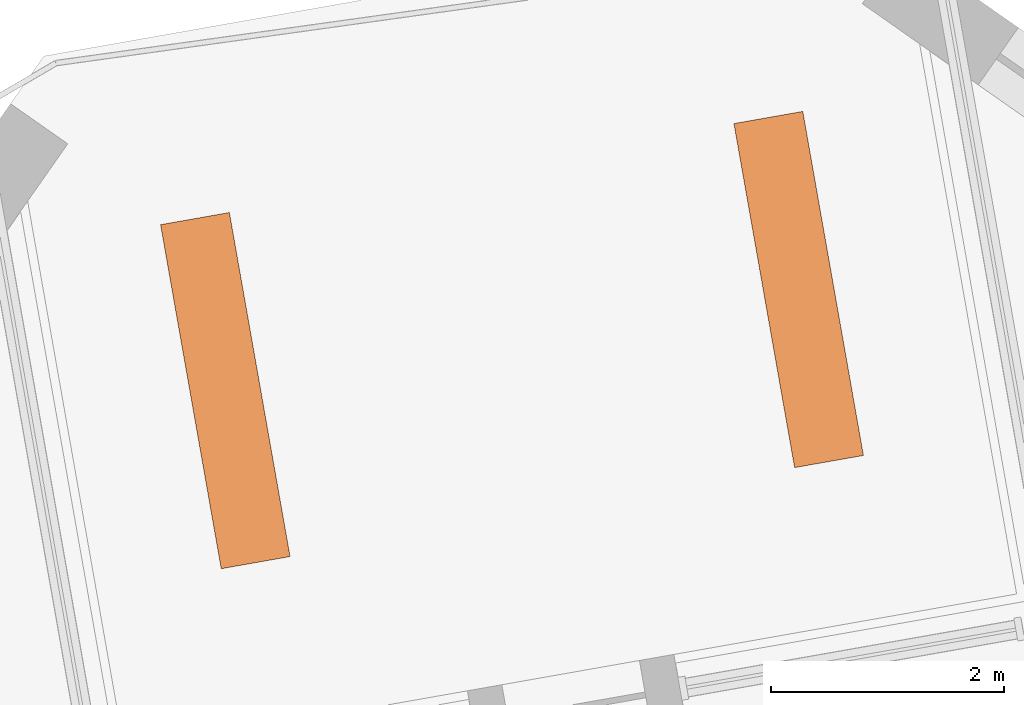
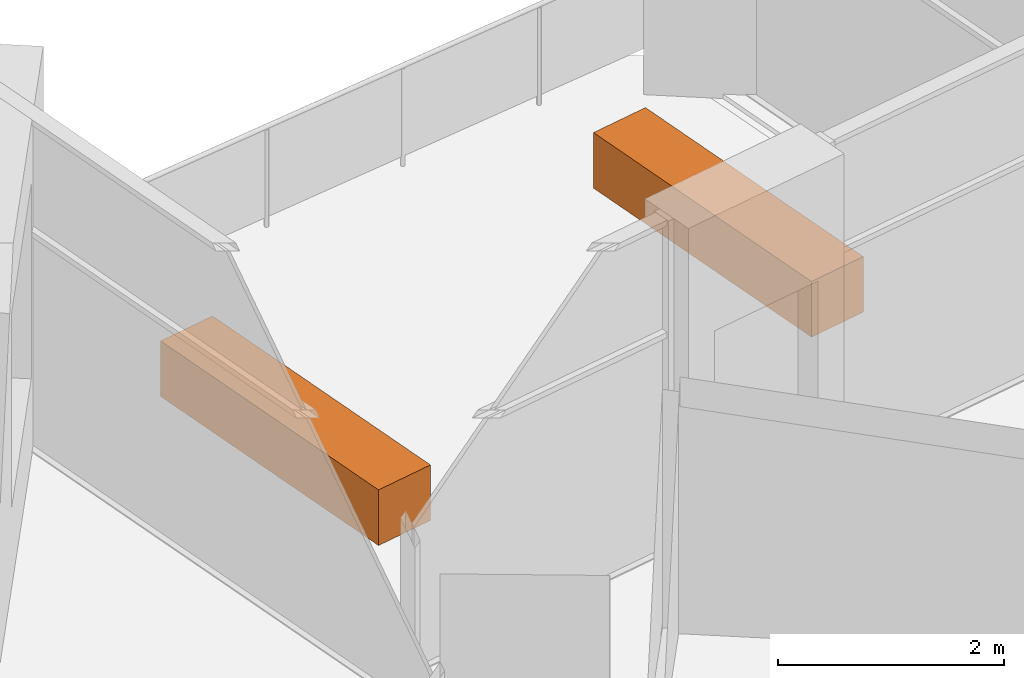
# One storey, part 13 of 13: 2 proxies.
"""IFC4 building model written with IfcOpenShell, lengths in metres."""

from ifc_helpers import new_model, si_unit, direction, frame, origin, origin_2d, place, context, subcontext, project, spatial, rectangle, extrude, element, save


model = new_model("IFC4")

# Units and contexts
model_context = context("Model", 3, precision=1e-05, world=origin(), true_north=direction((0.0, 1.0)))
body_context = subcontext(model_context, "Body", "Model", "MODEL_VIEW")
ifc_project = project(units=[si_unit("LENGTHUNIT", "METRE"), si_unit("AREAUNIT", "SQUARE_METRE"), si_unit("VOLUMEUNIT", "CUBIC_METRE"), si_unit("PLANEANGLEUNIT", "RADIAN"), si_unit("MASSUNIT", "GRAM", prefix="KILO")], contexts=[model_context])

# Site, building, storey
site_placement = place(None, origin())
site = spatial("IfcSite", under=ifc_project, at=site_placement, CompositionType="ELEMENT")
building_placement = place(site_placement, origin())
building = spatial("IfcBuilding", under=site, at=building_placement, Name="Dilmun Exchange Tower", CompositionType="ELEMENT")
storey_placement = place(building_placement, frame((0.0, 0.0, 246.89990234375)))
storey = spatial("IfcBuildingStorey", under=building, at=storey_placement, Name="L58", CompositionType="ELEMENT", Elevation=246.89990234375)

# Proxies
for number, where, z_axis, x_axis, name in (
    (1, (1.40771484375, 32.067626953125, 0.0), (0.0, 0.0, 1.0), (-0.173648177667, 0.984807753012, 0.0), "PLANTER Date palm L58.1"),
    (2, (-3.516357421875, 31.199462890625, 0.0), (0.0, 0.0, 1.0), (-0.173648177667, 0.984807753012, 0.0), "PLANTER Date palm L58.2"),
):
    element("IfcBuildingElementProxy", number, at=place(storey_placement, frame(where, z_axis=z_axis, x_axis=x_axis)), inside=storey, Name=name, ObjectType="PLANTER", PredefinedType="USERDEFINED", context=body_context, shape_type="SweptSolid", body=[
        extrude(rectangle(XDim=3.0, YDim=0.60009765625, at=origin_2d()), origin(), (0.0, 0.0, 1.0), 0.60009765625),
    ])

save(model, "model.ifc")
